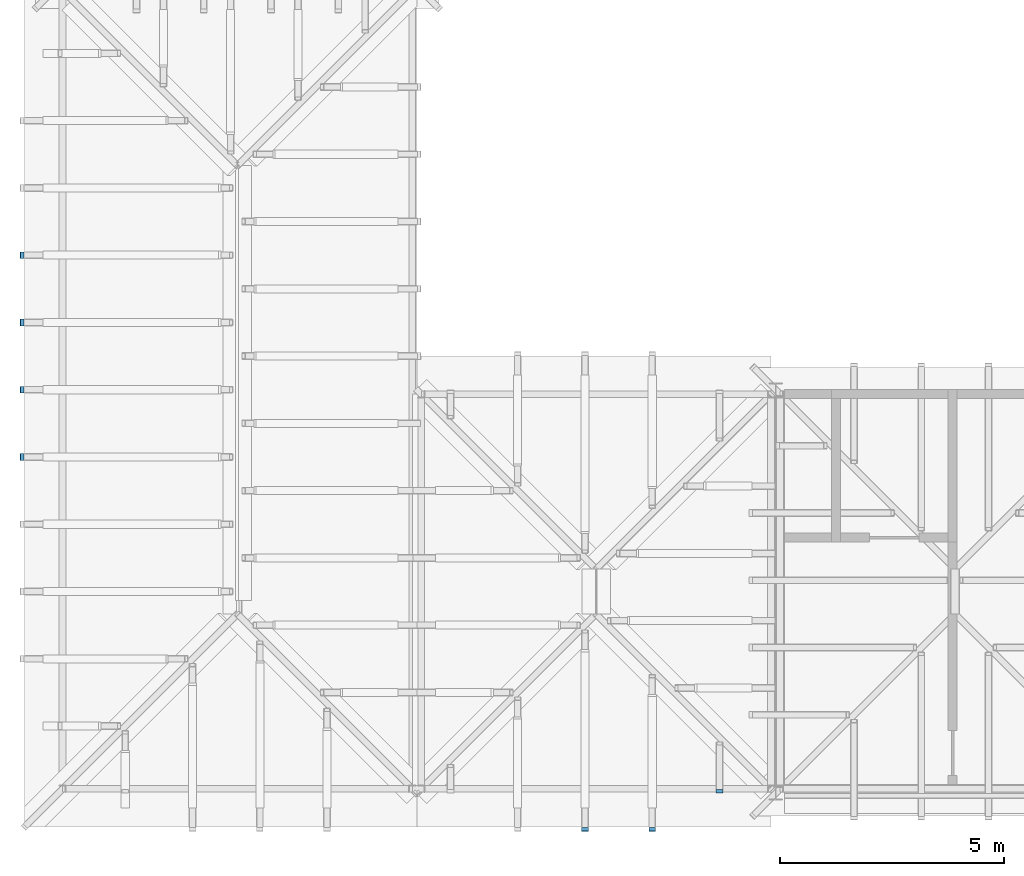
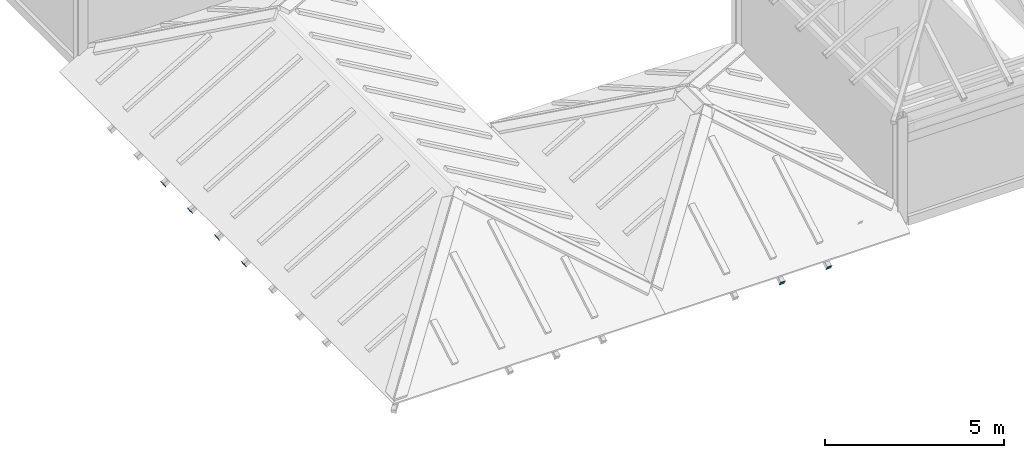
# One storey, part 77 of 111: 7 discrete accessories.
"""IFC4 building model written with IfcOpenShell, lengths in metres."""

from ifc_helpers import new_model, si_unit, direction, frame, origin, origin_2d, place, context, subcontext, project, spatial, rectangle, extrude, material, material_profile, profile_set, type_object, element, save


model = new_model("IFC4")

# Units and contexts
model_context = context("Model", 3, precision=1e-05, world=origin(), true_north=direction((0.0, 1.0)))
body_context = subcontext(model_context, "Body", "Model", "MODEL_VIEW")
ifc_project = project(units=[si_unit("LENGTHUNIT", "METRE"), si_unit("AREAUNIT", "SQUARE_METRE"), si_unit("VOLUMEUNIT", "CUBIC_METRE"), si_unit("PLANEANGLEUNIT", "RADIAN"), si_unit("MASSUNIT", "GRAM", prefix="KILO")], contexts=[model_context])

# Site, building, storey
site_placement = place(None, origin())
site = spatial("IfcSite", under=ifc_project, at=site_placement, CompositionType="ELEMENT")
building_placement = place(site_placement, origin())
building = spatial("IfcBuilding", under=site, at=building_placement, Name="Kallimachos Central Library", CompositionType="ELEMENT")
storey_placement = place(building_placement, frame((0.0, 0.0, 14.39990234375)))
storey = spatial("IfcBuildingStorey", under=building, at=storey_placement, Name="L03", CompositionType="ELEMENT", Elevation=14.39990234375)

# Discrete accessories
ifc_material = material(Name="Steel S355J2", Category="steel")
ifc_material_profile = material_profile(ifc_material, rectangle(XDim=0.14990234375, YDim=0.14990234375, at=origin_2d()), Name="End cap plate 10, 150x150")
ifc_profile_set = profile_set([ifc_material_profile], Name="Steel S355J2")
discrete_accessory_type = type_object("IfcDiscreteAccessoryType", Name="End cap plate 10, 150x150", PredefinedType="BRACKET", material=ifc_profile_set)
for number, where, z_axis, x_axis, name in (
    (1, (5.19140625, 16.5, -0.137939453125), (0.857492925713, 0.0, 0.514495755428), (0.0, 1.0, 0.0), "End cap plate"),
    (2, (5.19140625, 18.0, -0.137939453125), (0.857492925713, 0.0, 0.514495755428), (0.0, 1.0, 0.0), "End cap plate"),
    (3, (5.19140625, 19.5, -0.137939453125), (0.857492925713, 0.0, 0.514495755428), (0.0, 1.0, 0.0), "End cap plate"),
    (4, (5.19140625, 21.0, -0.137939453125), (0.857492925713, 0.0, 0.514495755428), (0.0, 1.0, 0.0), "End cap plate"),
    (5, (17.75, 8.19140625, -0.137939453125), (0.0, 0.857492925713, 0.514495755428), (-1.0, 0.0, 0.0), "End cap plate"),
    (6, (19.25, 8.19140625, -0.137939453125), (0.0, 0.857492925713, 0.514495755428), (-1.0, 0.0, 0.0), "End cap plate"),
):
    element("IfcDiscreteAccessory", number, at=place(storey_placement, frame(where, z_axis=z_axis, x_axis=x_axis)), inside=storey, type_object=discrete_accessory_type, Name=name, PredefinedType="BRACKET", context=body_context, shape_type="SweptSolid", body=[
        extrude(rectangle(XDim=0.14990234375, YDim=0.14990234375, at=origin_2d()), origin(), (0.0, 0.0, 1.0), 0.010009765625),
    ])
discrete_accessory_placement = place(storey_placement, frame((20.75, 9.041259765625, 0.352783203125), z_axis=(0.0, 0.863778900898, 0.503871025524), x_axis=(-1.0, 0.0, 0.0)))
element("IfcDiscreteAccessory", 7, at=discrete_accessory_placement, inside=storey, type_object=discrete_accessory_type, Name="End cap plate", PredefinedType="BRACKET", context=body_context, shape_type="SweptSolid", body=[
    extrude(rectangle(XDim=0.14990234375, YDim=0.14990234375, at=origin_2d()), origin(), (0.0, 0.0, 1.0), 0.01025390625),
])

save(model, "model.ifc")
